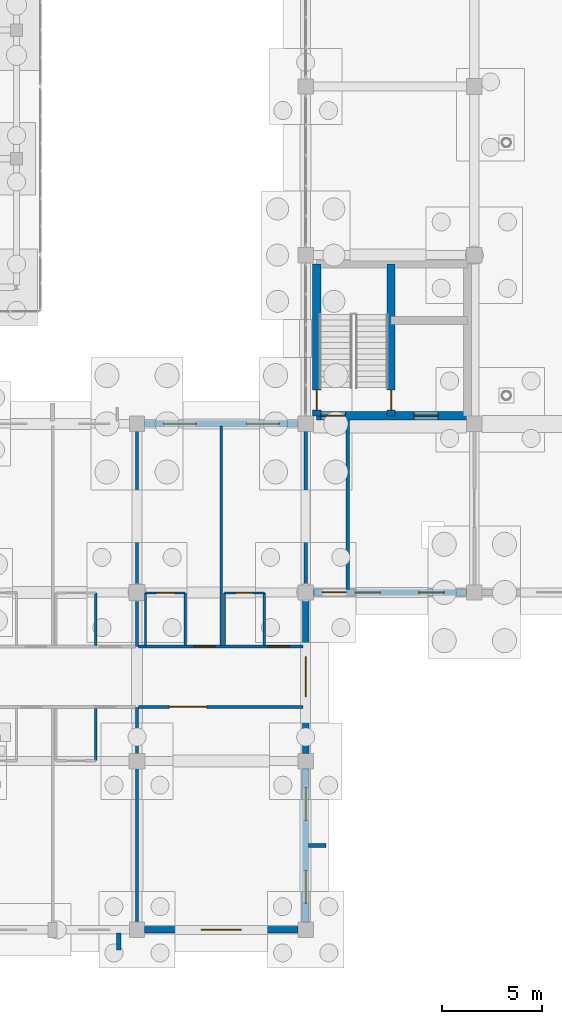
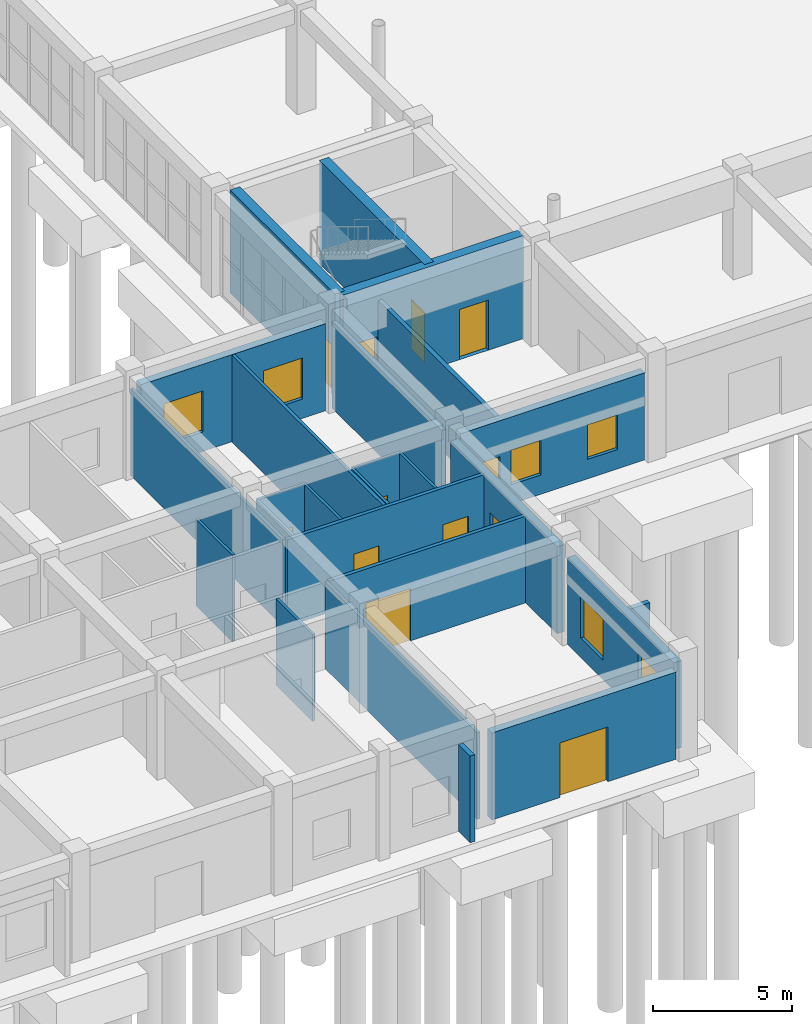
# One storey, part 170 of 192: 25 walls, 12 doors, 6 windows, 18 openings.
"""IFC4 building model written with IfcOpenShell, lengths in metres."""

from ifc_helpers import new_model, si_unit, direction, frame, frame_2d, origin, place, context, subcontext, project, spatial, rectangle, extrude, material, layer, layer_set, type_object, element, fill, save


model = new_model("IFC4")

# Units and contexts
model_context = context("Model", 3, precision=1e-05, world=origin(), true_north=direction((0.0, 1.0)))
body_context = subcontext(model_context, "Body", "Model", "MODEL_VIEW")
ifc_project = project(units=[si_unit("LENGTHUNIT", "METRE"), si_unit("AREAUNIT", "SQUARE_METRE"), si_unit("VOLUMEUNIT", "CUBIC_METRE"), si_unit("PLANEANGLEUNIT", "RADIAN"), si_unit("MASSUNIT", "GRAM", prefix="KILO")], contexts=[model_context])

# Site, building, storey
site_placement = place(None, origin())
site = spatial("IfcSite", under=ifc_project, at=site_placement, CompositionType="ELEMENT")
building_placement = place(site_placement, origin())
building = spatial("IfcBuilding", under=site, at=building_placement, Name="Trelvath General Hospital", CompositionType="ELEMENT")
storey_placement = place(building_placement, origin())
storey = spatial("IfcBuildingStorey", under=building, at=storey_placement, Name="L00", CompositionType="ELEMENT", Elevation=0.0)

# Walls
ifc_material_1 = material(Name="Precast concrete C40/50", Category="concrete")
ifc_layer_1 = layer(ifc_material_1, 0.199951171875)
ifc_layer_set_1 = layer_set([ifc_layer_1], Name="Precast concrete C40/50")
wall_type_1 = type_object("IfcWallType", Name="BriseSoleilRib 200", PredefinedType="ELEMENTEDWALL", material=ifc_layer_set_1)
wall_1_placement = place(storey_placement, frame((125.089599609375, -0.14990234375, 0.0), z_axis=(0.0, 0.0, 1.0), x_axis=(0.0, -1.0, 0.0)))
element("IfcWall", 1, at=wall_1_placement, inside=storey, type_object=wall_type_1, Name="Precast Concrete Brise-Soleil Rib Fin L00-50", PredefinedType="ELEMENTEDWALL", context=body_context, shape_type="SweptSolid", body=[
    extrude(rectangle(XDim=0.85009765625, YDim=0.199951171875, at=frame_2d((0.425048828125, 0.0))), origin(), (0.0, 0.0, 1.0), 3.800048828125),
])
wall_2_placement = place(storey_placement, frame((134.550048828125, 4.199951171875, 0.0), z_axis=(0.0, 0.0, 1.0), x_axis=(1.0, 0.0, 0.0)))
element("IfcWall", 2, at=wall_2_placement, inside=storey, type_object=wall_type_1, Name="Precast Concrete Brise-Soleil Rib Fin L00-54", PredefinedType="ELEMENTEDWALL", context=body_context, shape_type="SweptSolid", body=[
    extrude(rectangle(XDim=0.849853515625, YDim=0.199951171875, at=frame_2d((0.4248046875, 0.0))), origin(), (0.0, 0.0, 1.0), 3.800048828125),
])

# Wall, opening, door
ifc_material_2 = material(Name="Gypsum acoustic steel-stud partition", Category="steel")
ifc_layer_2 = layer(ifc_material_2, 0.14990234375)
ifc_layer_set_2 = layer_set([ifc_layer_2], Name="Gypsum acoustic steel-stud partition")
wall_type_2 = type_object("IfcWallType", Name="ClinicalPartition 150", PredefinedType="PARTITIONING", material=ifc_layer_set_2)
wall_3_placement = place(storey_placement, frame((126.080078125, 11.10009765625, 0.0), z_axis=(0.0, 0.0, 1.0), x_axis=(1.0, 0.0, 0.0)))
wall_3 = element("IfcWall", 3, at=wall_3_placement, inside=storey, type_object=wall_type_2, Name="Corridor Partition L00-157", PredefinedType="PARTITIONING", context=body_context, shape_type="SweptSolid", body=[
    extrude(rectangle(XDim=8.179931640625, YDim=0.14990234375, at=frame_2d((4.08984375, 0.0))), origin(), (0.0, 0.0, 1.0), 3.800048828125),
])
opening_1_placement = place(wall_3_placement, frame((1.530029296875, 0.0, 0.0)))
opening_1 = element("IfcOpeningElement", 4, at=opening_1_placement, cuts=wall_3, Name="Opening D-0-0358", PredefinedType="OPENING", context=body_context, shape_type="SweptSolid", body=[
    extrude(rectangle(XDim=1.85009765625, YDim=2.300048828125, at=frame_2d((0.925048828125, 1.14990234375))), frame((0.0, 0.0849609375, 0.0), z_axis=(0.0, -1.0, 0.0), x_axis=(1.0, 0.0, 0.0)), (0.0, 0.0, 1.0), 0.169921875),
])
ifc_material_3 = material(Name="Fire-rated steel cross-corridor pair", Category="steel")
door_type_1 = type_object("IfcDoorType", Name="Door SmokeCross 1850x2300", OperationType="DOUBLE_SWING_LEFT", PredefinedType="DOOR", material=ifc_material_3)
door_1_placement = place(opening_1_placement, origin())
door_1 = element("IfcDoor", 5, at=door_1_placement, inside=storey, type_object=door_type_1, Name="Waiting Lounge Door L00-358", OperationType="DOUBLE_SWING_LEFT", OverallHeight=2.300048828125, OverallWidth=1.85009765625, PredefinedType="DOOR", context=body_context, shape_type="SweptSolid", body=[
    extrude(rectangle(XDim=1.85009765625, YDim=2.300048828125, at=frame_2d((0.925048828125, 1.14990234375))), frame((0.0, 0.02490234375, 0.0), z_axis=(0.0, -1.0, 0.0), x_axis=(1.0, 0.0, 0.0)), (0.0, 0.0, 1.0), 0.050048828125),
])
fill(opening_1, door_1)

# Wall, openings, doors
wall_4_placement = place(storey_placement, frame((134.260009765625, 14.10009765625, 0.0), z_axis=(0.0, 0.0, 1.0), x_axis=(-1.0, 0.0, 0.0)))
wall_4 = element("IfcWall", 6, at=wall_4_placement, inside=storey, type_object=wall_type_2, Name="Corridor Partition N L00-158", PredefinedType="PARTITIONING", context=body_context, shape_type="SweptSolid", body=[
    extrude(rectangle(XDim=8.179931640625, YDim=0.14990234375, at=frame_2d((4.08984375, 0.0))), origin(), (0.0, 0.0, 1.0), 3.800048828125),
])
opening_2_placement = place(wall_4_placement, frame((0.669921875, 0.0, 0.0)))
opening_2 = element("IfcOpeningElement", 7, at=opening_2_placement, cuts=wall_4, Name="Opening D-0-0359", PredefinedType="OPENING", context=body_context, shape_type="SweptSolid", body=[
    extrude(rectangle(XDim=1.050048828125, YDim=2.199951171875, at=frame_2d((0.52490234375, 1.10009765625))), frame((0.0, 0.0849609375, 0.0), z_axis=(0.0, -1.0, 0.0), x_axis=(1.0, 0.0, 0.0)), (0.0, 0.0, 1.0), 0.169921875),
])
opening_3_placement = place(wall_4_placement, frame((4.3701171875, 0.0, 0.0)))
opening_3 = element("IfcOpeningElement", 8, at=opening_3_placement, cuts=wall_4, Name="Opening D-0-0360", PredefinedType="OPENING", context=body_context, shape_type="SweptSolid", body=[
    extrude(rectangle(XDim=1.050048828125, YDim=2.199951171875, at=frame_2d((0.52490234375, 1.10009765625))), frame((0.0, 0.0849609375, 0.0), z_axis=(0.0, -1.0, 0.0), x_axis=(1.0, 0.0, 0.0)), (0.0, 0.0, 1.0), 0.169921875),
])
ifc_material_4 = material(Name="Acoustic hospital timber leaf", Category="wood")
door_type_2 = type_object("IfcDoorType", Name="Door Consult 1050x2200", OperationType="NOTDEFINED", PredefinedType="DOOR", material=ifc_material_4)
door_2_placement = place(opening_2_placement, origin())
door_2 = element("IfcDoor", 9, at=door_2_placement, inside=storey, type_object=door_type_2, Name="Patient Room Door N L00-359", OperationType="SINGLE_SWING_RIGHT", OverallHeight=2.199951171875, OverallWidth=1.050048828125, PredefinedType="DOOR", context=body_context, shape_type="SweptSolid", body=[
    extrude(rectangle(XDim=1.050048828125, YDim=2.199951171875, at=frame_2d((0.52490234375, 1.10009765625))), frame((0.0, 0.02490234375, 0.0), z_axis=(0.0, -1.0, 0.0), x_axis=(1.0, 0.0, 0.0)), (0.0, 0.0, 1.0), 0.050048828125),
])
fill(opening_2, door_2)
door_3_placement = place(opening_3_placement, origin())
door_3 = element("IfcDoor", 10, at=door_3_placement, inside=storey, type_object=door_type_2, Name="Patient Room Door N L00-360", OperationType="SINGLE_SWING_RIGHT", OverallHeight=2.199951171875, OverallWidth=1.050048828125, PredefinedType="DOOR", context=body_context, shape_type="SweptSolid", body=[
    extrude(rectangle(XDim=1.050048828125, YDim=2.199951171875, at=frame_2d((0.52490234375, 1.10009765625))), frame((0.0, 0.02490234375, 0.0), z_axis=(0.0, -1.0, 0.0), x_axis=(1.0, 0.0, 0.0)), (0.0, 0.0, 1.0), 0.050048828125),
])
fill(opening_3, door_3)

ifc_material_5 = material(Name="Concrete C40/50", Category="concrete")
ifc_layer_3 = layer(ifc_material_5, 0.39990234375)
ifc_layer_set_3 = layer_set([ifc_layer_3], Name="Concrete C40/50")
wall_type_3 = type_object("IfcWallType", Name="CoreShearWall 400", PredefinedType="SHEAR", material=ifc_layer_set_3)
wall_5_placement = place(storey_placement, frame((134.949951171875, 25.60009765625, 0.0), z_axis=(0.0, 0.0, 1.0), x_axis=(1.0, 0.0, 0.0)))
wall_5 = element("IfcWall", 11, at=wall_5_placement, inside=storey, type_object=wall_type_3, Name="Core Shear Wall C7 S L00", PredefinedType="SHEAR", context=body_context, shape_type="SweptSolid", body=[
    extrude(rectangle(XDim=7.5, YDim=0.39990234375, at=frame_2d((3.75, 0.0))), origin(), (0.0, 0.0, 1.0), 4.52001953125),
])
opening_4_placement = place(wall_5_placement, frame((4.85009765625, 0.0, 0.0)))
opening_4 = element("IfcOpeningElement", 12, at=opening_4_placement, cuts=wall_5, Name="Opening FD-LS70", PredefinedType="OPENING", context=body_context, shape_type="SweptSolid", body=[
    extrude(rectangle(XDim=1.199951171875, YDim=2.199951171875, at=frame_2d((0.60009765625, 1.10009765625))), frame((0.0, 0.2099609375, 0.0), z_axis=(0.0, -1.0, 0.0), x_axis=(1.0, 0.0, 0.0)), (0.0, 0.0, 1.0), 0.419921875),
])
opening_5_placement = place(wall_5_placement, frame((0.219970703125, 0.0, 0.0)))
opening_5 = element("IfcOpeningElement", 13, at=opening_5_placement, cuts=wall_5, Name="Opening FD-EX7", PredefinedType="OPENING", context=body_context, shape_type="SweptSolid", body=[
    extrude(rectangle(XDim=1.199951171875, YDim=2.199951171875, at=frame_2d((0.60009765625, 1.10009765625))), frame((0.0, 0.2099609375, 0.0), z_axis=(0.0, -1.0, 0.0), x_axis=(1.0, 0.0, 0.0)), (0.0, 0.0, 1.0), 0.419921875),
])
ifc_material_6 = material(Name="Fire-rated steel door", Category="steel")
door_type_3 = type_object("IfcDoorType", Name="Door FireLobby 1200x2200", OperationType="NOTDEFINED", PredefinedType="DOOR", material=ifc_material_6)
door_4_placement = place(opening_4_placement, origin())
door_4 = element("IfcDoor", 14, at=door_4_placement, inside=storey, type_object=door_type_3, Name="Fire Lobby South Concourse Door C7 L00", OperationType="SINGLE_SWING_LEFT", OverallHeight=2.199951171875, OverallWidth=1.199951171875, PredefinedType="DOOR", context=body_context, shape_type="SweptSolid", body=[
    extrude(rectangle(XDim=1.199951171875, YDim=2.199951171875, at=frame_2d((0.60009765625, 1.10009765625))), frame((0.0, 0.02490234375, 0.0), z_axis=(0.0, -1.0, 0.0), x_axis=(1.0, 0.0, 0.0)), (0.0, 0.0, 1.0), 0.050048828125),
])
fill(opening_4, door_4)
door_5_placement = place(opening_5_placement, origin())
door_5 = element("IfcDoor", 15, at=door_5_placement, inside=storey, type_object=door_type_3, Name="Exit Stair Discharge Door ST7 L00", OperationType="SINGLE_SWING_RIGHT", OverallHeight=2.199951171875, OverallWidth=1.199951171875, PredefinedType="DOOR", context=body_context, shape_type="SweptSolid", body=[
    extrude(rectangle(XDim=1.199951171875, YDim=2.199951171875, at=frame_2d((0.60009765625, 1.10009765625))), frame((0.0, 0.02490234375, 0.0), z_axis=(0.0, -1.0, 0.0), x_axis=(1.0, 0.0, 0.0)), (0.0, 0.0, 1.0), 0.050048828125),
])
fill(opening_5, door_5)

# Wall, opening, door
wall_6_placement = place(storey_placement, frame((134.949951171875, 25.60009765625, 0.0), z_axis=(0.0, 0.0, 1.0), x_axis=(0.0, 1.0, 0.0)))
wall_6 = element("IfcWall", 16, at=wall_6_placement, inside=storey, type_object=wall_type_3, Name="Core Shear Wall C7 W L00", PredefinedType="SHEAR", context=body_context, shape_type="SweptSolid", body=[
    extrude(rectangle(XDim=7.5498046875, YDim=0.39990234375, at=frame_2d((3.77490234375, 0.0))), origin(), (0.0, 0.0, 1.0), 4.52001953125),
])
opening_6_placement = place(wall_6_placement, frame((0.280029296875, 0.0, 0.0)))
opening_6 = element("IfcOpeningElement", 17, at=opening_6_placement, cuts=wall_6, Name="Opening FD-SW70", PredefinedType="OPENING", context=body_context, shape_type="SweptSolid", body=[
    extrude(rectangle(XDim=1.0, YDim=2.14990234375, at=frame_2d((0.5, 1.074951171875))), frame((0.0, 0.2099609375, 0.0), z_axis=(0.0, -1.0, 0.0), x_axis=(1.0, 0.0, 0.0)), (0.0, 0.0, 1.0), 0.419921875),
])
ifc_material_7 = material(Name="Fire-rated steel door", Category="steel")
door_type_4 = type_object("IfcDoorType", Name="Door FireStair 1100x2150", OperationType="NOTDEFINED", PredefinedType="DOOR", material=ifc_material_7)
door_6_placement = place(opening_6_placement, origin())
door_6 = element("IfcDoor", 18, at=door_6_placement, inside=storey, type_object=door_type_4, Name="East Concourse Stair Door ST7 L00", OperationType="SINGLE_SWING_RIGHT", OverallHeight=2.14990234375, OverallWidth=1.0, PredefinedType="DOOR", context=body_context, shape_type="SweptSolid", body=[
    extrude(rectangle(XDim=1.0, YDim=2.14990234375, at=frame_2d((0.5, 1.074951171875))), frame((0.0, 0.02490234375, 0.0), z_axis=(0.0, -1.0, 0.0), x_axis=(1.0, 0.0, 0.0)), (0.0, 0.0, 1.0), 0.050048828125),
])
fill(opening_6, door_6)

wall_7_placement = place(storey_placement, frame((138.64990234375, 25.60009765625, 0.0), z_axis=(0.0, 0.0, 1.0), x_axis=(0.0, 1.0, 0.0)))
wall_7 = element("IfcWall", 19, at=wall_7_placement, inside=storey, type_object=wall_type_3, Name="Core Shear Wall C7 SPINE L00", PredefinedType="SHEAR", context=body_context, shape_type="SweptSolid", body=[
    extrude(rectangle(XDim=7.5498046875, YDim=0.39990234375, at=frame_2d((3.77490234375, 0.0))), origin(), (0.0, 0.0, 1.0), 4.52001953125),
])
opening_7_placement = place(wall_7_placement, frame((0.280029296875, 0.0, 0.0)))
opening_7 = element("IfcOpeningElement", 20, at=opening_7_placement, cuts=wall_7, Name="Opening FD-S70", PredefinedType="OPENING", context=body_context, shape_type="SweptSolid", body=[
    extrude(rectangle(XDim=1.0, YDim=2.14990234375, at=frame_2d((0.5, 1.074951171875))), frame((0.0, 0.2099609375, 0.0), z_axis=(0.0, -1.0, 0.0), x_axis=(1.0, 0.0, 0.0)), (0.0, 0.0, 1.0), 0.419921875),
])
door_7_placement = place(opening_7_placement, origin())
door_7 = element("IfcDoor", 21, at=door_7_placement, inside=storey, type_object=door_type_4, Name="Exit Stair Door ST7 L00", OperationType="SINGLE_SWING_LEFT", OverallHeight=2.14990234375, OverallWidth=1.0, PredefinedType="DOOR", context=body_context, shape_type="SweptSolid", body=[
    extrude(rectangle(XDim=1.0, YDim=2.14990234375, at=frame_2d((0.5, 1.074951171875))), frame((0.0, 0.02490234375, 0.0), z_axis=(0.0, -1.0, 0.0), x_axis=(1.0, 0.0, 0.0)), (0.0, 0.0, 1.0), 0.050048828125),
])
fill(opening_7, door_7)

# Walls
ifc_material_8 = material(Name="Moisture-resistant tile partition")
ifc_layer_4 = layer(ifc_material_8, 0.110107421875)
ifc_layer_set_4 = layer_set([ifc_layer_4], Name="Moisture-resistant tile partition")
wall_type_4 = type_object("IfcWallType", Name="EnSuiteWetWall 110", PredefinedType="PARTITIONING", material=ifc_layer_set_4)
for number, where, z_axis, x_axis, name in (
    (22, (123.93994140625, 8.419921875, 0.0), (0.0, 0.0, 1.0), (0.0, 1.0, 0.0), "En-Suite E Wall L00-144"),
    (23, (123.93994140625, 14.169921875, 0.0), (0.0, 0.0, 1.0), (0.0, 1.0, 0.0), "En-Suite E Wall N L00-152"),
    (24, (126.419921875, 14.169921875, 0.0), (0.0, 0.0, 1.0), (0.0, 1.0, 0.0), "En-Suite W Wall N L00-160"),
    (25, (128.39990234375, 14.169921875, 0.0), (0.0, 0.0, 1.0), (0.0, 1.0, 0.0), "En-Suite E Wall N L00-161"),
):
    element("IfcWall", number, at=place(storey_placement, frame(where, z_axis=z_axis, x_axis=x_axis)), inside=storey, type_object=wall_type_4, Name=name, PredefinedType="PARTITIONING", context=body_context, shape_type="SweptSolid", body=[
        extrude(rectangle(XDim=2.610107421875, YDim=0.110107421875, at=frame_2d((1.30517578125, 0.0))), origin(), (0.0, 0.0, 1.0), 3.800048828125),
    ])

# Wall, opening, door
wall_8_placement = place(storey_placement, frame((126.419921875, 16.780029296875, 0.0), z_axis=(0.0, 0.0, 1.0), x_axis=(1.0, 0.0, 0.0)))
wall_8 = element("IfcWall", 26, at=wall_8_placement, inside=storey, type_object=wall_type_4, Name="En-Suite Bathroom N Partition L00-162", PredefinedType="PARTITIONING", context=body_context, shape_type="SweptSolid", body=[
    extrude(rectangle(XDim=1.97998046875, YDim=0.110107421875, at=frame_2d((0.989990234375, 0.0))), origin(), (0.0, 0.0, 1.0), 3.800048828125),
])
opening_8_placement = place(wall_8_placement, frame((0.5400390625, 0.0, 0.0)))
opening_8 = element("IfcOpeningElement", 27, at=opening_8_placement, cuts=wall_8, Name="Opening D-0-0361", PredefinedType="OPENING", context=body_context, shape_type="SweptSolid", body=[
    extrude(rectangle(XDim=0.89990234375, YDim=2.10009765625, at=frame_2d((0.449951171875, 1.050048828125))), frame((0.0, 0.06494140625, 0.0), z_axis=(0.0, -1.0, 0.0), x_axis=(1.0, 0.0, 0.0)), (0.0, 0.0, 1.0), 0.130126953125),
])
ifc_material_9 = material(Name="Moisture-sealed timber leaf", Category="wood")
door_type_5 = type_object("IfcDoorType", Name="Door EnSuite 900x2100", OperationType="NOTDEFINED", PredefinedType="DOOR", material=ifc_material_9)
door_8_placement = place(opening_8_placement, origin())
door_8 = element("IfcDoor", 28, at=door_8_placement, inside=storey, type_object=door_type_5, Name="En-Suite Bathroom N Door L00-361", OperationType="SINGLE_SWING_LEFT", OverallHeight=2.10009765625, OverallWidth=0.89990234375, PredefinedType="DOOR", context=body_context, shape_type="SweptSolid", body=[
    extrude(rectangle(XDim=0.89990234375, YDim=2.10009765625, at=frame_2d((0.449951171875, 1.050048828125))), frame((0.0, 0.02490234375, 0.0), z_axis=(0.0, -1.0, 0.0), x_axis=(1.0, 0.0, 0.0)), (0.0, 0.0, 1.0), 0.050048828125),
])
fill(opening_8, door_8)

# Walls
for number, where, z_axis, x_axis, name in (
    (29, (130.360107421875, 14.169921875, 0.0), (0.0, 0.0, 1.0), (0.0, 1.0, 0.0), "En-Suite W Wall N L00-163"),
    (30, (132.340087890625, 14.169921875, 0.0), (0.0, 0.0, 1.0), (0.0, 1.0, 0.0), "En-Suite E Wall N L00-164"),
):
    element("IfcWall", number, at=place(storey_placement, frame(where, z_axis=z_axis, x_axis=x_axis)), inside=storey, type_object=wall_type_4, Name=name, PredefinedType="PARTITIONING", context=body_context, shape_type="SweptSolid", body=[
        extrude(rectangle(XDim=2.610107421875, YDim=0.110107421875, at=frame_2d((1.30517578125, 0.0))), origin(), (0.0, 0.0, 1.0), 3.800048828125),
    ])

# Wall, opening, door
wall_9_placement = place(storey_placement, frame((130.360107421875, 16.780029296875, 0.0), z_axis=(0.0, 0.0, 1.0), x_axis=(1.0, 0.0, 0.0)))
wall_9 = element("IfcWall", 31, at=wall_9_placement, inside=storey, type_object=wall_type_4, Name="En-Suite Bathroom N Partition L00-165", PredefinedType="PARTITIONING", context=body_context, shape_type="SweptSolid", body=[
    extrude(rectangle(XDim=1.97998046875, YDim=0.110107421875, at=frame_2d((0.989990234375, 0.0))), origin(), (0.0, 0.0, 1.0), 3.800048828125),
])
opening_9_placement = place(wall_9_placement, frame((0.5400390625, 0.0, 0.0)))
opening_9 = element("IfcOpeningElement", 32, at=opening_9_placement, cuts=wall_9, Name="Opening D-0-0362", PredefinedType="OPENING", context=body_context, shape_type="SweptSolid", body=[
    extrude(rectangle(XDim=0.89990234375, YDim=2.10009765625, at=frame_2d((0.449951171875, 1.050048828125))), frame((0.0, 0.06494140625, 0.0), z_axis=(0.0, -1.0, 0.0), x_axis=(1.0, 0.0, 0.0)), (0.0, 0.0, 1.0), 0.130126953125),
])
door_9_placement = place(opening_9_placement, origin())
door_9 = element("IfcDoor", 33, at=door_9_placement, inside=storey, type_object=door_type_5, Name="En-Suite Bathroom N Door L00-362", OperationType="SINGLE_SWING_RIGHT", OverallHeight=2.10009765625, OverallWidth=0.89990234375, PredefinedType="DOOR", context=body_context, shape_type="SweptSolid", body=[
    extrude(rectangle(XDim=0.89990234375, YDim=2.10009765625, at=frame_2d((0.449951171875, 1.050048828125))), frame((0.0, 0.02490234375, 0.0), z_axis=(0.0, -1.0, 0.0), x_axis=(1.0, 0.0, 0.0)), (0.0, 0.0, 1.0), 0.050048828125),
])
fill(opening_9, door_9)

ifc_material_10 = material(Name="Concrete C35/45", Category="concrete")
ifc_layer_5 = layer(ifc_material_10, 0.320068359375)
ifc_layer_set_5 = layer_set([ifc_layer_5], Name="Concrete C35/45")
wall_type_5 = type_object("IfcWallType", Name="ExtThermalWall 320", PredefinedType="SOLIDWALL", material=ifc_layer_set_5)
wall_10_placement = place(storey_placement, frame((134.02490234375, 0.0, 0.0), z_axis=(0.0, 0.0, 1.0), x_axis=(-1.0, 0.0, 0.0)))
wall_10 = element("IfcWall", 34, at=wall_10_placement, inside=storey, type_object=wall_type_5, Name="Exterior Concrete Wall L00-80", PredefinedType="SOLIDWALL", context=body_context, shape_type="SweptSolid", body=[
    extrude(rectangle(XDim=7.64990234375, YDim=0.320068359375, at=frame_2d((3.824951171875, 0.0))), origin(), (0.0, 0.0, 1.0), 3.820068359375),
])
opening_10_placement = place(wall_10_placement, frame((2.824951171875, 0.0, 0.0)))
opening_10 = element("IfcOpeningElement", 35, at=opening_10_placement, cuts=wall_10, Name="Opening E10", PredefinedType="OPENING", context=body_context, shape_type="SweptSolid", body=[
    extrude(rectangle(XDim=2.0, YDim=2.39990234375, at=frame_2d((1.0, 1.199951171875))), frame((0.0, 0.169921875, 0.0), z_axis=(0.0, -1.0, 0.0), x_axis=(1.0, 0.0, 0.0)), (0.0, 0.0, 1.0), 0.340087890625),
])
ifc_material_11 = material(Name="Thermally broken glazed exit pair")
door_type_6 = type_object("IfcDoorType", Name="Door GradeExit 2000x2400", OperationType="DOUBLE_SWING_LEFT", PredefinedType="DOOR", material=ifc_material_11)
door_10_placement = place(opening_10_placement, origin())
door_10 = element("IfcDoor", 36, at=door_10_placement, inside=storey, type_object=door_type_6, Name="Pedestrian Final Exit Door E10", OperationType="DOUBLE_SWING_LEFT", OverallHeight=2.39990234375, OverallWidth=2.0, PredefinedType="DOOR", context=body_context, shape_type="SweptSolid", body=[
    extrude(rectangle(XDim=2.0, YDim=2.39990234375, at=frame_2d((1.0, 1.199951171875))), frame((0.0, 0.02490234375, 0.0), z_axis=(0.0, -1.0, 0.0), x_axis=(1.0, 0.0, 0.0)), (0.0, 0.0, 1.0), 0.050048828125),
])
fill(opening_10, door_10)

# Wall, openings, windows
wall_11_placement = place(storey_placement, frame((134.39990234375, 8.02490234375, 0.0), z_axis=(0.0, 0.0, 1.0), x_axis=(0.0, -1.0, 0.0)))
wall_11 = element("IfcWall", 37, at=wall_11_placement, inside=storey, type_object=wall_type_5, Name="Exterior Concrete Wall L00-81", PredefinedType="SOLIDWALL", context=body_context, shape_type="SweptSolid", body=[
    extrude(rectangle(XDim=7.64990234375, YDim=0.320068359375, at=frame_2d((3.824951171875, 0.0))), origin(), (0.0, 0.0, 1.0), 3.820068359375),
])
opening_11_placement = place(wall_11_placement, frame((0.949462890625, 0.0, 0.85009765625)))
opening_11 = element("IfcOpeningElement", 38, at=opening_11_placement, cuts=wall_11, Name="Opening WN-0-115", PredefinedType="OPENING", context=body_context, shape_type="SweptSolid", body=[
    extrude(rectangle(XDim=1.6201171875, YDim=1.800048828125, at=frame_2d((0.81005859375, 0.89990234375))), frame((0.0, 0.169921875, 0.0), z_axis=(0.0, -1.0, 0.0), x_axis=(1.0, 0.0, 0.0)), (0.0, 0.0, 1.0), 0.340087890625),
])
opening_12_placement = place(wall_11_placement, frame((5.08056640625, 0.0, 0.85009765625)))
opening_12 = element("IfcOpeningElement", 39, at=opening_12_placement, cuts=wall_11, Name="Opening WN-0-116", PredefinedType="OPENING", context=body_context, shape_type="SweptSolid", body=[
    extrude(rectangle(XDim=1.6201171875, YDim=1.800048828125, at=frame_2d((0.81005859375, 0.89990234375))), frame((0.0, 0.169921875, 0.0), z_axis=(0.0, -1.0, 0.0), x_axis=(1.0, 0.0, 0.0)), (0.0, 0.0, 1.0), 0.340087890625),
])
ifc_material_12 = material(Name="Low-E laminated glass", Category="glass")
window_type_1 = type_object("IfcWindowType", Name="Window Rehab 1620x1800", PartitioningType="DOUBLE_PANEL_VERTICAL", PredefinedType="WINDOW", material=ifc_material_12)
window_1_placement = place(opening_11_placement, origin())
window_1 = element("IfcWindow", 40, at=window_1_placement, inside=storey, type_object=window_type_1, Name="Solar Reveal Window L00-115", OverallHeight=1.800048828125, OverallWidth=1.6201171875, PartitioningType="SINGLE_PANEL", PredefinedType="WINDOW", context=body_context, shape_type="SweptSolid", body=[
    extrude(rectangle(XDim=1.6201171875, YDim=1.800048828125, at=frame_2d((0.81005859375, 0.89990234375))), frame((0.0, 0.030029296875, 0.0), z_axis=(0.0, -1.0, 0.0), x_axis=(1.0, 0.0, 0.0)), (0.0, 0.0, 1.0), 0.06005859375),
])
fill(opening_11, window_1)
window_2_placement = place(opening_12_placement, origin())
window_2 = element("IfcWindow", 41, at=window_2_placement, inside=storey, type_object=window_type_1, Name="Solar Reveal Window L00-116", OverallHeight=1.800048828125, OverallWidth=1.6201171875, PartitioningType="SINGLE_PANEL", PredefinedType="WINDOW", context=body_context, shape_type="SweptSolid", body=[
    extrude(rectangle(XDim=1.6201171875, YDim=1.800048828125, at=frame_2d((0.81005859375, 0.89990234375))), frame((0.0, 0.030029296875, 0.0), z_axis=(0.0, -1.0, 0.0), x_axis=(1.0, 0.0, 0.0)), (0.0, 0.0, 1.0), 0.06005859375),
])
fill(opening_12, window_2)

# Wall, opening, door
wall_12_placement = place(storey_placement, frame((134.39990234375, 16.425048828125, 0.0), z_axis=(0.0, 0.0, 1.0), x_axis=(0.0, -1.0, 0.0)))
wall_12 = element("IfcWall", 42, at=wall_12_placement, inside=storey, type_object=wall_type_5, Name="Exterior Concrete Wall L00-82", PredefinedType="SOLIDWALL", context=body_context, shape_type="SweptSolid", body=[
    extrude(rectangle(XDim=7.650146484375, YDim=0.320068359375, at=frame_2d((3.8251953125, 0.0))), origin(), (0.0, 0.0, 1.0), 3.820068359375),
])
opening_13_placement = place(wall_12_placement, frame((2.824951171875, 0.0, 0.0)))
opening_13 = element("IfcOpeningElement", 43, at=opening_13_placement, cuts=wall_12, Name="Opening E11", PredefinedType="OPENING", context=body_context, shape_type="SweptSolid", body=[
    extrude(rectangle(XDim=2.0, YDim=2.39990234375, at=frame_2d((1.0, 1.199951171875))), frame((0.0, 0.169921875, 0.0), z_axis=(0.0, -1.0, 0.0), x_axis=(1.0, 0.0, 0.0)), (0.0, 0.0, 1.0), 0.340087890625),
])
door_11_placement = place(opening_13_placement, origin())
door_11 = element("IfcDoor", 44, at=door_11_placement, inside=storey, type_object=door_type_6, Name="Pedestrian Final Exit Door E11", OperationType="DOUBLE_SWING_LEFT", OverallHeight=2.39990234375, OverallWidth=2.0, PredefinedType="DOOR", context=body_context, shape_type="SweptSolid", body=[
    extrude(rectangle(XDim=2.0, YDim=2.39990234375, at=frame_2d((1.0, 1.199951171875))), frame((0.0, 0.02490234375, 0.0), z_axis=(0.0, -1.0, 0.0), x_axis=(1.0, 0.0, 0.0)), (0.0, 0.0, 1.0), 0.050048828125),
])
fill(opening_13, door_11)

# Wall, openings, windows
wall_13_placement = place(storey_placement, frame((126.375, 25.199951171875, 0.0), z_axis=(0.0, 0.0, 1.0), x_axis=(1.0, 0.0, 0.0)))
wall_13 = element("IfcWall", 45, at=wall_13_placement, inside=storey, type_object=wall_type_5, Name="Exterior Concrete Wall L00-83", PredefinedType="SOLIDWALL", context=body_context, shape_type="SweptSolid", body=[
    extrude(rectangle(XDim=7.64990234375, YDim=0.320068359375, at=frame_2d((3.824951171875, 0.0))), origin(), (0.0, 0.0, 1.0), 3.820068359375),
])
opening_14_placement = place(wall_13_placement, frame((0.949462890625, 0.0, 0.85009765625)))
opening_14 = element("IfcOpeningElement", 46, at=opening_14_placement, cuts=wall_13, Name="Opening WN-0-117", PredefinedType="OPENING", context=body_context, shape_type="SweptSolid", body=[
    extrude(rectangle(XDim=1.6201171875, YDim=1.800048828125, at=frame_2d((0.81005859375, 0.89990234375))), frame((0.0, 0.169921875, 0.0), z_axis=(0.0, -1.0, 0.0), x_axis=(1.0, 0.0, 0.0)), (0.0, 0.0, 1.0), 0.340087890625),
])
opening_15_placement = place(wall_13_placement, frame((5.08056640625, 0.0, 0.85009765625)))
opening_15 = element("IfcOpeningElement", 47, at=opening_15_placement, cuts=wall_13, Name="Opening WN-0-118", PredefinedType="OPENING", context=body_context, shape_type="SweptSolid", body=[
    extrude(rectangle(XDim=1.6201171875, YDim=1.800048828125, at=frame_2d((0.81005859375, 0.89990234375))), frame((0.0, 0.169921875, 0.0), z_axis=(0.0, -1.0, 0.0), x_axis=(1.0, 0.0, 0.0)), (0.0, 0.0, 1.0), 0.340087890625),
])
window_3_placement = place(opening_14_placement, origin())
window_3 = element("IfcWindow", 48, at=window_3_placement, inside=storey, type_object=window_type_1, Name="Solar Reveal Window L00-117", OverallHeight=1.800048828125, OverallWidth=1.6201171875, PartitioningType="SINGLE_PANEL", PredefinedType="WINDOW", context=body_context, shape_type="SweptSolid", body=[
    extrude(rectangle(XDim=1.6201171875, YDim=1.800048828125, at=frame_2d((0.81005859375, 0.89990234375))), frame((0.0, 0.030029296875, 0.0), z_axis=(0.0, -1.0, 0.0), x_axis=(1.0, 0.0, 0.0)), (0.0, 0.0, 1.0), 0.06005859375),
])
fill(opening_14, window_3)
window_4_placement = place(opening_15_placement, origin())
window_4 = element("IfcWindow", 49, at=window_4_placement, inside=storey, type_object=window_type_1, Name="Solar Reveal Window L00-118", OverallHeight=1.800048828125, OverallWidth=1.6201171875, PartitioningType="SINGLE_PANEL", PredefinedType="WINDOW", context=body_context, shape_type="SweptSolid", body=[
    extrude(rectangle(XDim=1.6201171875, YDim=1.800048828125, at=frame_2d((0.81005859375, 0.89990234375))), frame((0.0, 0.030029296875, 0.0), z_axis=(0.0, -1.0, 0.0), x_axis=(1.0, 0.0, 0.0)), (0.0, 0.0, 1.0), 0.06005859375),
])
fill(opening_15, window_4)

# Wall, openings, door, windows
wall_14_placement = place(storey_placement, frame((142.425048828125, 16.800048828125, 0.0), z_axis=(0.0, 0.0, 1.0), x_axis=(-1.0, 0.0, 0.0)))
wall_14 = element("IfcWall", 50, at=wall_14_placement, inside=storey, type_object=wall_type_5, Name="Exterior Concrete Wall L00-86", PredefinedType="SOLIDWALL", context=body_context, shape_type="SweptSolid", body=[
    extrude(rectangle(XDim=7.650146484375, YDim=0.320068359375, at=frame_2d((3.8251953125, 0.0))), origin(), (0.0, 0.0, 1.0), 3.820068359375),
])
opening_16_placement = place(wall_14_placement, frame((6.0, 0.0, 0.0)))
opening_16 = element("IfcOpeningElement", 51, at=opening_16_placement, cuts=wall_14, Name="Opening E-ST7", PredefinedType="OPENING", context=body_context, shape_type="SweptSolid", body=[
    extrude(rectangle(XDim=1.199951171875, YDim=2.25, at=frame_2d((0.60009765625, 1.125))), frame((0.0, 0.169921875, 0.0), z_axis=(0.0, -1.0, 0.0), x_axis=(1.0, 0.0, 0.0)), (0.0, 0.0, 1.0), 0.340087890625),
])
opening_17_placement = place(wall_14_placement, frame((1.12939453125, 0.0, 0.85009765625)))
opening_17 = element("IfcOpeningElement", 52, at=opening_17_placement, cuts=wall_14, Name="Opening WN-0-121", PredefinedType="OPENING", context=body_context, shape_type="SweptSolid", body=[
    extrude(rectangle(XDim=1.260009765625, YDim=1.52001953125, at=frame_2d((0.6298828125, 0.760009765625))), frame((0.0, 0.169921875, 0.0), z_axis=(0.0, -1.0, 0.0), x_axis=(1.0, 0.0, 0.0)), (0.0, 0.0, 1.0), 0.340087890625),
])
opening_18_placement = place(wall_14_placement, frame((4.300048828125, 0.0, 0.85009765625)))
opening_18 = element("IfcOpeningElement", 53, at=opening_18_placement, cuts=wall_14, Name="Opening WN-0-122", PredefinedType="OPENING", context=body_context, shape_type="SweptSolid", body=[
    extrude(rectangle(XDim=1.260009765625, YDim=1.52001953125, at=frame_2d((0.6298828125, 0.760009765625))), frame((0.0, 0.169921875, 0.0), z_axis=(0.0, -1.0, 0.0), x_axis=(1.0, 0.0, 0.0)), (0.0, 0.0, 1.0), 0.340087890625),
])
ifc_material_13 = material(Name="Thermally broken glazed aluminium door", Category="aluminium")
door_type_7 = type_object("IfcDoorType", Name="Door Terrace 1200x2250", OperationType="NOTDEFINED", PredefinedType="DOOR", material=ifc_material_13)
door_12_placement = place(opening_16_placement, origin())
door_12 = element("IfcDoor", 54, at=door_12_placement, inside=storey, type_object=door_type_7, Name="Pedestrian Final Exit Discharge Door E-ST7", OperationType="SINGLE_SWING_LEFT", OverallHeight=2.25, OverallWidth=1.199951171875, PredefinedType="DOOR", context=body_context, shape_type="SweptSolid", body=[
    extrude(rectangle(XDim=1.199951171875, YDim=2.25, at=frame_2d((0.60009765625, 1.125))), frame((0.0, 0.02490234375, 0.0), z_axis=(0.0, -1.0, 0.0), x_axis=(1.0, 0.0, 0.0)), (0.0, 0.0, 1.0), 0.050048828125),
])
fill(opening_16, door_12)
ifc_material_14 = material(Name="Low-E laminated glass", Category="glass")
window_type_2 = type_object("IfcWindowType", Name="Window Oncology 1260x1520", PartitioningType="SINGLE_PANEL", PredefinedType="WINDOW", material=ifc_material_14)
window_5_placement = place(opening_17_placement, origin())
window_5 = element("IfcWindow", 55, at=window_5_placement, inside=storey, type_object=window_type_2, Name="Solar Reveal Window L00-121", OverallHeight=1.52001953125, OverallWidth=1.260009765625, PartitioningType="SINGLE_PANEL", PredefinedType="WINDOW", context=body_context, shape_type="SweptSolid", body=[
    extrude(rectangle(XDim=1.260009765625, YDim=1.52001953125, at=frame_2d((0.6298828125, 0.760009765625))), frame((0.0, 0.030029296875, 0.0), z_axis=(0.0, -1.0, 0.0), x_axis=(1.0, 0.0, 0.0)), (0.0, 0.0, 1.0), 0.06005859375),
])
fill(opening_17, window_5)
window_6_placement = place(opening_18_placement, origin())
window_6 = element("IfcWindow", 56, at=window_6_placement, inside=storey, type_object=window_type_2, Name="Solar Reveal Window L00-122", OverallHeight=1.52001953125, OverallWidth=1.260009765625, PartitioningType="SINGLE_PANEL", PredefinedType="WINDOW", context=body_context, shape_type="SweptSolid", body=[
    extrude(rectangle(XDim=1.260009765625, YDim=1.52001953125, at=frame_2d((0.6298828125, 0.760009765625))), frame((0.0, 0.030029296875, 0.0), z_axis=(0.0, -1.0, 0.0), x_axis=(1.0, 0.0, 0.0)), (0.0, 0.0, 1.0), 0.06005859375),
])
fill(opening_18, window_6)

# Walls
ifc_material_15 = material(Name="Masonry fire blockwork", Category="masonry")
ifc_layer_6 = layer(ifc_material_15, 0.179931640625)
ifc_layer_set_6 = layer_set([ifc_layer_6], Name="Masonry fire blockwork")
wall_type_6 = type_object("IfcWallType", Name="SmokeBarrierWall 180", PredefinedType="PARTITIONING", material=ifc_layer_set_6)
wall_15_placement = place(storey_placement, frame((134.39990234375, 17.179931640625, 0.0), z_axis=(0.0, 0.0, 1.0), x_axis=(0.0, 1.0, 0.0)))
element("IfcWall", 57, at=wall_15_placement, inside=storey, type_object=wall_type_6, Name="East Volume Dividing Partition L00-156", PredefinedType="PARTITIONING", context=body_context, shape_type="SweptSolid", body=[
    extrude(rectangle(XDim=7.880126953125, YDim=0.179931640625, at=frame_2d((3.93994140625, 0.0))), origin(), (0.0, 0.0, 1.0), 3.800048828125),
])
wall_16_placement = place(storey_placement, frame((136.489990234375, 16.93994140625, 0.0), z_axis=(0.0, 0.0, 1.0), x_axis=(0.0, 1.0, 0.0)))
element("IfcWall", 58, at=wall_16_placement, inside=storey, type_object=wall_type_6, Name="Exit Passage Fire Wall ST7 L00", PredefinedType="PARTITIONING", context=body_context, shape_type="SweptSolid", body=[
    extrude(rectangle(XDim=8.449951171875, YDim=0.179931640625, at=frame_2d((4.22509765625, 0.0))), origin(), (0.0, 0.0, 1.0), 3.800048828125),
])
ifc_material_16 = material(Name="Gypsum acoustic steel-stud partition", Category="steel")
ifc_layer_7 = layer(ifc_material_16, 0.1298828125)
ifc_layer_set_7 = layer_set([ifc_layer_7], Name="Gypsum acoustic steel-stud partition")
wall_type_7 = type_object("IfcWallType", Name="WardPartition 130", PredefinedType="PARTITIONING", material=ifc_layer_set_7)
wall_17_placement = place(storey_placement, frame((126.0, 0.139892578125, 0.0), z_axis=(0.0, 0.0, 1.0), x_axis=(0.0, 1.0, 0.0)))
element("IfcWall", 59, at=wall_17_placement, inside=storey, type_object=wall_type_7, Name="Inter-Bay Ward Partition S L00-154", PredefinedType="PARTITIONING", context=body_context, shape_type="SweptSolid", body=[
    extrude(rectangle(XDim=10.940185546875, YDim=0.1298828125, at=frame_2d((5.47021484375, 0.0))), origin(), (0.0, 0.0, 1.0), 3.800048828125),
])
wall_18_placement = place(storey_placement, frame((126.0, 14.1201171875, 0.0), z_axis=(0.0, 0.0, 1.0), x_axis=(0.0, 1.0, 0.0)))
element("IfcWall", 60, at=wall_18_placement, inside=storey, type_object=wall_type_7, Name="Inter-Bay Ward Partition N L00-155", PredefinedType="PARTITIONING", context=body_context, shape_type="SweptSolid", body=[
    extrude(rectangle(XDim=10.93994140625, YDim=0.1298828125, at=frame_2d((5.469970703125, 0.0))), origin(), (0.0, 0.0, 1.0), 3.800048828125),
])
wall_19_placement = place(storey_placement, frame((130.199951171875, 14.169921875, 0.0), z_axis=(0.0, 0.0, 1.0), x_axis=(0.0, 1.0, 0.0)))
element("IfcWall", 61, at=wall_19_placement, inside=storey, type_object=wall_type_7, Name="Room Dividing Partition N L00-159", PredefinedType="PARTITIONING", context=body_context, shape_type="SweptSolid", body=[
    extrude(rectangle(XDim=10.93017578125, YDim=0.1298828125, at=frame_2d((5.465087890625, 0.0))), origin(), (0.0, 0.0, 1.0), 3.800048828125),
])

save(model, "model.ifc")
